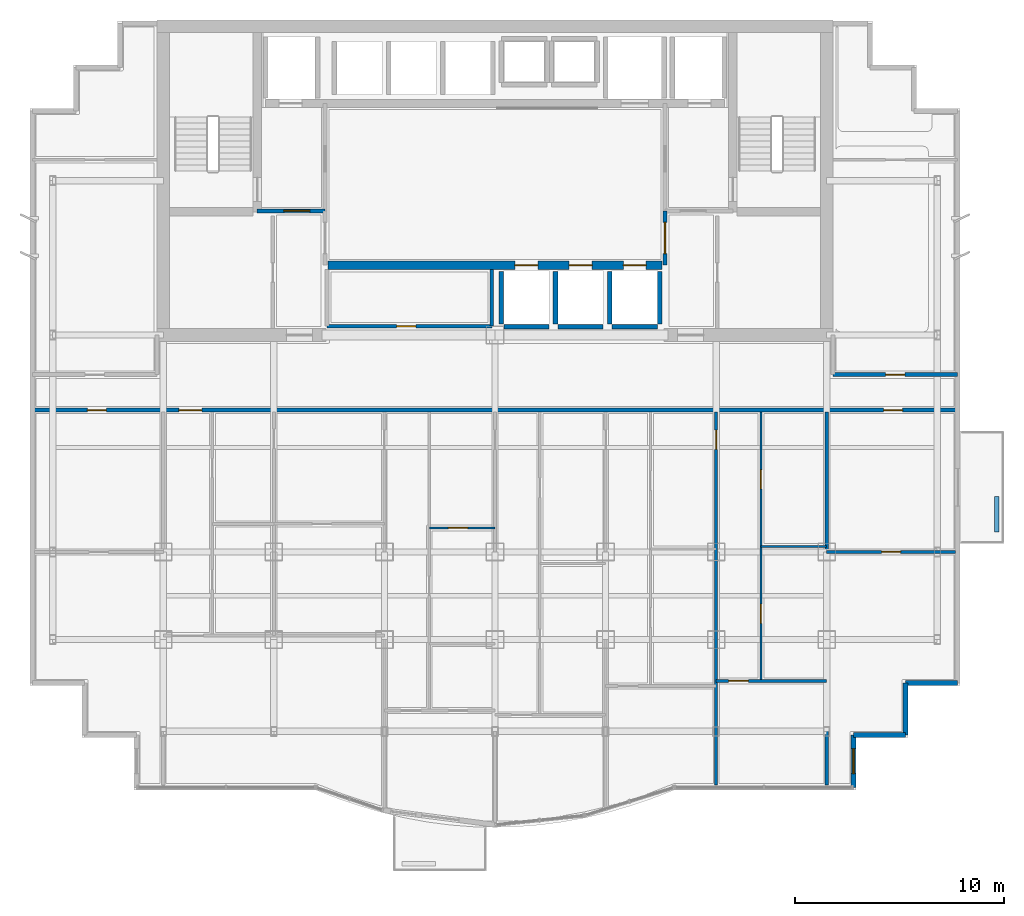
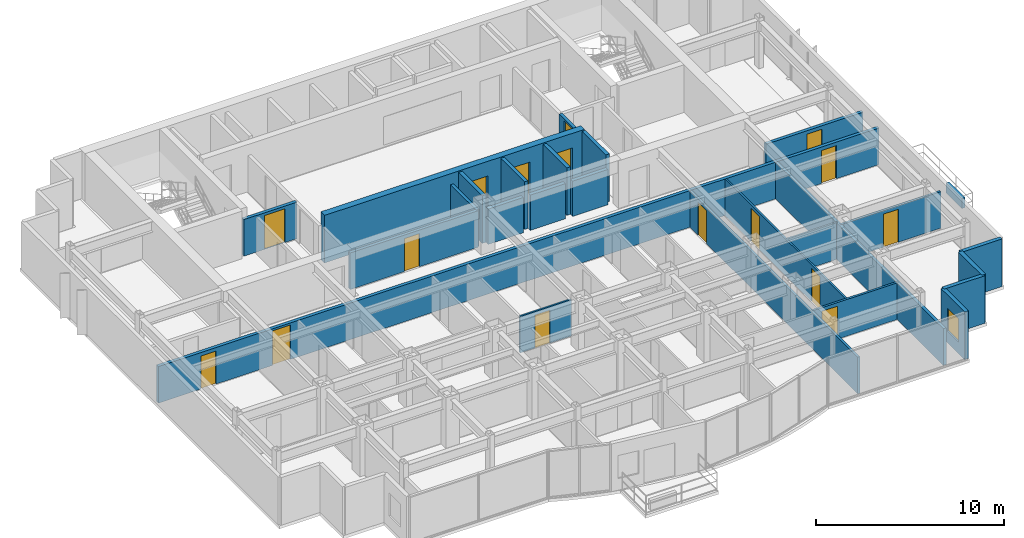
# One storey, part 7 of 11: 26 walls, 16 doors, 1 window, 17 openings.
"""IFC4 building model written with IfcOpenShell, lengths in metres."""

from ifc_helpers import new_model, si_unit, direction, frame, frame_2d, origin, place, context, subcontext, project, spatial, rectangle, extrude, material, layer, layer_set, type_object, element, fill, save


model = new_model("IFC4")

# Units and contexts
model_context = context("Model", 3, precision=1e-05, world=origin(), true_north=direction((0.0, 1.0)))
body_context = subcontext(model_context, "Body", "Model", "MODEL_VIEW")
ifc_project = project(units=[si_unit("LENGTHUNIT", "METRE"), si_unit("AREAUNIT", "SQUARE_METRE"), si_unit("VOLUMEUNIT", "CUBIC_METRE"), si_unit("PLANEANGLEUNIT", "RADIAN"), si_unit("MASSUNIT", "GRAM", prefix="KILO")], contexts=[model_context])

# Site, building, storey
site_placement = place(None, origin())
site = spatial("IfcSite", under=ifc_project, at=site_placement, CompositionType="ELEMENT")
building_placement = place(site_placement, origin())
building = spatial("IfcBuilding", under=site, at=building_placement, Name="Qianlan Lanfeng Residences", CompositionType="ELEMENT")
storey_placement = place(building_placement, frame((0.0, 0.0, 168.89990234375)))
storey = spatial("IfcBuildingStorey", under=building, at=storey_placement, Name="L46", CompositionType="ELEMENT", Elevation=168.89990234375)

# Wall, openings, doors
ifc_material_1 = material(Name="Concrete C56", Category="concrete")
ifc_layer_1 = layer(ifc_material_1, 0.39990234375)
ifc_layer_set_1 = layer_set([ifc_layer_1], Name="Concrete C56")
wall_type_1 = type_object("IfcWallType", Name="CW-RC-400", PredefinedType="SHEAR", material=ifc_layer_set_1)
wall_1_placement = place(storey_placement, frame((18.5, 28.550048828125, 0.0), z_axis=(0.0, 0.0, 1.0), x_axis=(1.0, 0.0, 0.0)))
wall_1 = element("IfcWall", 1, at=wall_1_placement, inside=storey, type_object=wall_type_1, Name="L46 Core Shear Wall LBS", PredefinedType="SHEAR", context=body_context, shape_type="SweptSolid", body=[
    extrude(rectangle(XDim=16.0, YDim=0.39990234375, at=frame_2d((8.0, 0.0))), origin(), (0.0, 0.0, 1.0), 3.10009765625),
])
opening_1_placement = place(wall_1_placement, frame((8.949951171875, 0.0, 0.0)))
opening_1 = element("IfcOpeningElement", 2, at=opening_1_placement, cuts=wall_1, Name="Opening L46-LD-PL-M1", PredefinedType="OPENING", context=body_context, shape_type="SweptSolid", body=[
    extrude(rectangle(XDim=1.10009765625, YDim=2.14990234375, at=frame_2d((0.550048828125, 1.074951171875))), frame((0.0, 0.2099609375, 0.0), z_axis=(0.0, -1.0, 0.0), x_axis=(1.0, 0.0, 0.0)), (0.0, 0.0, 1.0), 0.419921875),
])
opening_2_placement = place(wall_1_placement, frame((11.550048828125, 0.0, 0.0)))
opening_2 = element("IfcOpeningElement", 3, at=opening_2_placement, cuts=wall_1, Name="Opening L46-LD-PL-M2", PredefinedType="OPENING", context=body_context, shape_type="SweptSolid", body=[
    extrude(rectangle(XDim=1.10009765625, YDim=2.14990234375, at=frame_2d((0.550048828125, 1.074951171875))), frame((0.0, 0.2099609375, 0.0), z_axis=(0.0, -1.0, 0.0), x_axis=(1.0, 0.0, 0.0)), (0.0, 0.0, 1.0), 0.419921875),
])
opening_3_placement = place(wall_1_placement, frame((14.14990234375, 0.0, 0.0)))
opening_3 = element("IfcOpeningElement", 4, at=opening_3_placement, cuts=wall_1, Name="Opening L46-LD-PL-M3", PredefinedType="OPENING", context=body_context, shape_type="SweptSolid", body=[
    extrude(rectangle(XDim=1.10009765625, YDim=2.14990234375, at=frame_2d((0.550048828125, 1.074951171875))), frame((0.0, 0.2099609375, 0.0), z_axis=(0.0, -1.0, 0.0), x_axis=(1.0, 0.0, 0.0)), (0.0, 0.0, 1.0), 0.419921875),
])
ifc_material_2 = material(Name="Brushed Stainless Steel Sliding Lift Door", Category="steel")
door_type_1 = type_object("IfcDoorType", Name="LD-01", OperationType="NOTDEFINED", PredefinedType="DOOR", material=ifc_material_2)
door_1_placement = place(opening_1_placement, origin())
door_1 = element("IfcDoor", 5, at=door_1_placement, inside=storey, type_object=door_type_1, Name="L46 Elevator PL-M1 Sliding Landing Door", OperationType="DOUBLE_DOOR_SLIDING", OverallHeight=2.14990234375, OverallWidth=1.10009765625, PredefinedType="DOOR", context=body_context, shape_type="SweptSolid", body=[
    extrude(rectangle(XDim=1.10009765625, YDim=2.14990234375, at=frame_2d((0.550048828125, 1.074951171875))), frame((0.0, 0.02490234375, 0.0), z_axis=(0.0, -1.0, 0.0), x_axis=(1.0, 0.0, 0.0)), (0.0, 0.0, 1.0), 0.050048828125),
])
fill(opening_1, door_1)
door_2_placement = place(opening_2_placement, origin())
door_2 = element("IfcDoor", 6, at=door_2_placement, inside=storey, type_object=door_type_1, Name="L46 Elevator PL-M2 Sliding Landing Door", OperationType="DOUBLE_DOOR_SLIDING", OverallHeight=2.14990234375, OverallWidth=1.10009765625, PredefinedType="DOOR", context=body_context, shape_type="SweptSolid", body=[
    extrude(rectangle(XDim=1.10009765625, YDim=2.14990234375, at=frame_2d((0.550048828125, 1.074951171875))), frame((0.0, 0.02490234375, 0.0), z_axis=(0.0, -1.0, 0.0), x_axis=(1.0, 0.0, 0.0)), (0.0, 0.0, 1.0), 0.050048828125),
])
fill(opening_2, door_2)
door_3_placement = place(opening_3_placement, origin())
door_3 = element("IfcDoor", 7, at=door_3_placement, inside=storey, type_object=door_type_1, Name="L46 Elevator PL-M3 Sliding Landing Door", OperationType="DOUBLE_DOOR_SLIDING", OverallHeight=2.14990234375, OverallWidth=1.10009765625, PredefinedType="DOOR", context=body_context, shape_type="SweptSolid", body=[
    extrude(rectangle(XDim=1.10009765625, YDim=2.14990234375, at=frame_2d((0.550048828125, 1.074951171875))), frame((0.0, 0.02490234375, 0.0), z_axis=(0.0, -1.0, 0.0), x_axis=(1.0, 0.0, 0.0)), (0.0, 0.0, 1.0), 0.050048828125),
])
fill(opening_3, door_3)

# Wall, opening, window
ifc_material_3 = material(Name="Concrete C42", Category="concrete")
ifc_layer_2 = layer(ifc_material_3, 0.239990234375)
ifc_layer_set_2 = layer_set([ifc_layer_2], Name="Concrete C42")
wall_type_2 = type_object("IfcWallType", Name="EW-240", PredefinedType="SOLIDWALL", material=ifc_layer_set_2)
wall_2_placement = place(storey_placement, frame((43.679931640625, 3.52001953125, 0.0), z_axis=(0.0, 0.0, 1.0), x_axis=(0.0, 1.0, 0.0)))
wall_2 = element("IfcWall", 8, at=wall_2_placement, inside=storey, type_object=wall_type_2, Name="L46 Exterior Facade Spandrel Wall 6", PredefinedType="SOLIDWALL", context=body_context, shape_type="SweptSolid", body=[
    extrude(rectangle(XDim=2.5, YDim=0.239990234375, at=frame_2d((1.25, 0.0))), origin(), (0.0, 0.0, 1.0), 3.10009765625),
])
opening_4_placement = place(wall_2_placement, frame((0.64990234375, 0.0, 0.75)))
opening_4 = element("IfcOpeningElement", 9, at=opening_4_placement, cuts=wall_2, Name="Opening W-03", PredefinedType="OPENING", context=body_context, shape_type="SweptSolid", body=[
    extrude(rectangle(XDim=1.199951171875, YDim=1.5, at=frame_2d((0.60009765625, 0.75))), frame((0.0, 0.1298828125, 0.0), z_axis=(0.0, -1.0, 0.0), x_axis=(1.0, 0.0, 0.0)), (0.0, 0.0, 1.0), 0.260009765625),
])
ifc_material_4 = material(Name="Anodised Bronze Aluminium Framed Double Glazing", Category="aluminium")
window_type = type_object("IfcWindowType", Name="W-03", PartitioningType="SINGLE_PANEL", PredefinedType="WINDOW", material=ifc_material_4)
window_placement = place(opening_4_placement, origin())
window = element("IfcWindow", 10, at=window_placement, inside=storey, type_object=window_type, Name="L46 Facade Punched Window W-03", OverallHeight=1.5, OverallWidth=1.199951171875, PartitioningType="SINGLE_PANEL", PredefinedType="WINDOW", context=body_context, shape_type="SweptSolid", body=[
    extrude(rectangle(XDim=1.199951171875, YDim=1.5, at=frame_2d((0.60009765625, 0.75))), frame((0.0, 0.030029296875, 0.0), z_axis=(0.0, -1.0, 0.0), x_axis=(1.0, 0.0, 0.0)), (0.0, 0.0, 1.0), 0.06005859375),
])
fill(opening_4, window)

# Walls
for number, where, z_axis, x_axis, name in (
    (11, (43.679931640625, 6.02001953125, 0.0), (0.0, 0.0, 1.0), (1.0, 0.0, 0.0), "L46 Exterior Facade Spandrel Wall 7"),
    (12, (46.179931640625, 6.02001953125, 0.0), (0.0, 0.0, 1.0), (0.0, 1.0, 0.0), "L46 Exterior Facade Spandrel Wall 8"),
    (13, (46.179931640625, 8.52001953125, 0.0), (0.0, 0.0, 1.0), (1.0, 0.0, 0.0), "L46 Exterior Facade Spandrel Wall 9"),
):
    element("IfcWall", number, at=place(storey_placement, frame(where, z_axis=z_axis, x_axis=x_axis)), inside=storey, type_object=wall_type_2, Name=name, PredefinedType="SOLIDWALL", context=body_context, shape_type="SweptSolid", body=[
        extrude(rectangle(XDim=2.5, YDim=0.239990234375, at=frame_2d((1.25, 0.0))), origin(), (0.0, 0.0, 1.0), 3.10009765625),
    ])
ifc_layer_3 = layer(ifc_material_3, 0.199951171875)
ifc_layer_set_3 = layer_set([ifc_layer_3], Name="Concrete C42")
wall_type_3 = type_object("IfcWallType", Name="PL-TREE-200", PredefinedType="PARAPET", material=ifc_layer_set_3)
wall_3_placement = place(storey_placement, frame((50.550048828125, 15.75, 0.0), z_axis=(0.0, 0.0, 1.0), x_axis=(0.0, 1.0, 0.0)))
element("IfcWall", 14, at=wall_3_placement, inside=storey, type_object=wall_type_3, Name="L46 East Tree Planter Curb EB-S", PredefinedType="PARAPET", context=body_context, shape_type="SweptSolid", body=[
    extrude(rectangle(XDim=1.699951171875, YDim=0.199951171875, at=frame_2d((0.85009765625, 0.0))), origin(), (0.0, 0.0, 1.0), 0.650146484375),
])

# Wall, opening, door
ifc_material_5 = material(Name="Demountable Acoustic Framing Partition 110 mm")
ifc_layer_4 = layer(ifc_material_5, 0.110107421875)
ifc_layer_set_4 = layer_set([ifc_layer_4], Name="Demountable Acoustic Framing Partition 110 mm")
wall_type_4 = type_object("IfcWallType", Name="PW-110", PredefinedType="MOVABLE", material=ifc_layer_set_4)
wall_4_placement = place(storey_placement, frame((23.35009765625, 15.949951171875, 0.0), z_axis=(0.0, 0.0, 1.0), x_axis=(1.0, 0.0, 0.0)))
wall_4 = element("IfcWall", 15, at=wall_4_placement, inside=storey, type_object=wall_type_4, Name="L46 U01 Wardrobe Split", PredefinedType="MOVABLE", context=body_context, shape_type="SweptSolid", body=[
    extrude(rectangle(XDim=3.14990234375, YDim=0.110107421875, at=frame_2d((1.574951171875, 0.0))), origin(), (0.0, 0.0, 1.0), 2.380126953125),
])
opening_5_placement = place(wall_4_placement, frame((0.9150390625, 0.0, 0.0)))
opening_5 = element("IfcOpeningElement", 16, at=opening_5_placement, cuts=wall_4, Name="Opening L46-D27", PredefinedType="OPENING", context=body_context, shape_type="SweptSolid", body=[
    extrude(rectangle(XDim=0.919921875, YDim=2.14990234375, at=frame_2d((0.4599609375, 1.074951171875))), frame((0.0, 0.06494140625, 0.0), z_axis=(0.0, -1.0, 0.0), x_axis=(1.0, 0.0, 0.0)), (0.0, 0.0, 1.0), 0.130126953125),
])
ifc_material_6 = material(Name="Glazed Timber Kitchen/Study Door", Category="wood")
door_type_2 = type_object("IfcDoorType", Name="DT-INT", OperationType="NOTDEFINED", PredefinedType="DOOR", material=ifc_material_6)
door_4_placement = place(opening_5_placement, origin())
door_4 = element("IfcDoor", 17, at=door_4_placement, inside=storey, type_object=door_type_2, Name="L46 U01 Dressing Inner Door L46-D27 (DT-INT)", OperationType="SINGLE_SWING_LEFT", OverallHeight=2.14990234375, OverallWidth=0.919921875, PredefinedType="DOOR", context=body_context, shape_type="SweptSolid", body=[
    extrude(rectangle(XDim=0.919921875, YDim=2.14990234375, at=frame_2d((0.4599609375, 1.074951171875))), frame((0.0, 0.02490234375, 0.0), z_axis=(0.0, -1.0, 0.0), x_axis=(1.0, 0.0, 0.0)), (0.0, 0.0, 1.0), 0.050048828125),
])
fill(opening_5, door_4)

# Wall, openings, doors
wall_5_placement = place(storey_placement, frame((39.25, 8.6201171875, 0.0), z_axis=(0.0, 0.0, 1.0), x_axis=(0.0, 1.0, 0.0)))
wall_5 = element("IfcWall", 18, at=wall_5_placement, inside=storey, type_object=wall_type_4, Name="L46 U01 Bedroom 5 Hall Wall", PredefinedType="MOVABLE", context=body_context, shape_type="SweptSolid", body=[
    extrude(rectangle(XDim=12.8798828125, YDim=0.110107421875, at=frame_2d((6.43994140625, 0.0))), origin(), (0.0, 0.0, 1.0), 2.380126953125),
])
opening_6_placement = place(wall_5_placement, frame((2.760009765625, 0.0, 0.0)))
opening_6 = element("IfcOpeningElement", 19, at=opening_6_placement, cuts=wall_5, Name="Opening L46-D35", PredefinedType="OPENING", context=body_context, shape_type="SweptSolid", body=[
    extrude(rectangle(XDim=0.919921875, YDim=2.14990234375, at=frame_2d((0.4599609375, 1.074951171875))), frame((0.0, 0.06494140625, 0.0), z_axis=(0.0, -1.0, 0.0), x_axis=(1.0, 0.0, 0.0)), (0.0, 0.0, 1.0), 0.130126953125),
])
opening_7_placement = place(wall_5_placement, frame((9.199951171875, 0.0, 0.0)))
opening_7 = element("IfcOpeningElement", 20, at=opening_7_placement, cuts=wall_5, Name="Opening L46-D36", PredefinedType="OPENING", context=body_context, shape_type="SweptSolid", body=[
    extrude(rectangle(XDim=0.919921875, YDim=2.14990234375, at=frame_2d((0.4599609375, 1.074951171875))), frame((0.0, 0.06494140625, 0.0), z_axis=(0.0, -1.0, 0.0), x_axis=(1.0, 0.0, 0.0)), (0.0, 0.0, 1.0), 0.130126953125),
])
door_5_placement = place(opening_6_placement, origin())
door_5 = element("IfcDoor", 21, at=door_5_placement, inside=storey, type_object=door_type_2, Name="L46 U01 Utility Door L46-D35 (DT-INT)", OperationType="SINGLE_SWING_LEFT", OverallHeight=2.14990234375, OverallWidth=0.919921875, PredefinedType="DOOR", context=body_context, shape_type="SweptSolid", body=[
    extrude(rectangle(XDim=0.919921875, YDim=2.14990234375, at=frame_2d((0.4599609375, 1.074951171875))), frame((0.0, 0.02490234375, 0.0), z_axis=(0.0, -1.0, 0.0), x_axis=(1.0, 0.0, 0.0)), (0.0, 0.0, 1.0), 0.050048828125),
])
fill(opening_6, door_5)
door_6_placement = place(opening_7_placement, origin())
door_6 = element("IfcDoor", 22, at=door_6_placement, inside=storey, type_object=door_type_2, Name="L46 U01 Specialty Door L46-D36 (DT-INT)", OperationType="SINGLE_SWING_RIGHT", OverallHeight=2.14990234375, OverallWidth=0.919921875, PredefinedType="DOOR", context=body_context, shape_type="SweptSolid", body=[
    extrude(rectangle(XDim=0.919921875, YDim=2.14990234375, at=frame_2d((0.4599609375, 1.074951171875))), frame((0.0, 0.02490234375, 0.0), z_axis=(0.0, -1.0, 0.0), x_axis=(1.0, 0.0, 0.0)), (0.0, 0.0, 1.0), 0.050048828125),
])
fill(opening_7, door_6)

# Wall
wall_6_placement = place(storey_placement, frame((39.25, 15.06005859375, 0.0), z_axis=(0.0, 0.0, 1.0), x_axis=(1.0, 0.0, 0.0)))
element("IfcWall", 23, at=wall_6_placement, inside=storey, type_object=wall_type_4, Name="L46 U01 Specialty Split Wall", PredefinedType="MOVABLE", context=body_context, shape_type="SweptSolid", body=[
    extrude(rectangle(XDim=3.14990234375, YDim=0.110107421875, at=frame_2d((1.574951171875, 0.0))), origin(), (0.0, 0.0, 1.0), 2.380126953125),
])

# Wall, opening, door
ifc_material_7 = material(Name="Moisture-Resistant Gypsum Partition 135 mm")
ifc_layer_5 = layer(ifc_material_7, 0.135009765625)
ifc_layer_set_5 = layer_set([ifc_layer_5], Name="Moisture-Resistant Gypsum Partition 135 mm")
wall_type_5 = type_object("IfcWallType", Name="PW-135", PredefinedType="PARTITIONING", material=ifc_layer_set_5)
wall_7_placement = place(storey_placement, frame((37.10009765625, 3.6201171875, 0.0), z_axis=(0.0, 0.0, 1.0), x_axis=(0.0, 1.0, 0.0)))
wall_7 = element("IfcWall", 24, at=wall_7_placement, inside=storey, type_object=wall_type_5, Name="L46 U01 Bay Spine Wall 5", PredefinedType="PARTITIONING", context=body_context, shape_type="SweptSolid", body=[
    extrude(rectangle(XDim=17.8798828125, YDim=0.135009765625, at=frame_2d((8.93994140625, 0.0))), origin(), (0.0, 0.0, 1.0), 2.380126953125),
])
opening_8_placement = place(wall_7_placement, frame((16.094970703125, 0.0, 0.0)))
opening_8 = element("IfcOpeningElement", 25, at=opening_8_placement, cuts=wall_7, Name="Opening L46-D19", PredefinedType="OPENING", context=body_context, shape_type="SweptSolid", body=[
    extrude(rectangle(XDim=0.919921875, YDim=2.14990234375, at=frame_2d((0.4599609375, 1.074951171875))), frame((0.0, 0.07763671875, 0.0), z_axis=(0.0, -1.0, 0.0), x_axis=(1.0, 0.0, 0.0)), (0.0, 0.0, 1.0), 0.155029296875),
])
door_7_placement = place(opening_8_placement, origin())
door_7 = element("IfcDoor", 26, at=door_7_placement, inside=storey, type_object=door_type_2, Name="L46 U01 Internal Hall Door L46-D19 (DT-INT)", OperationType="SINGLE_SWING_LEFT", OverallHeight=2.14990234375, OverallWidth=0.919921875, PredefinedType="DOOR", context=body_context, shape_type="SweptSolid", body=[
    extrude(rectangle(XDim=0.919921875, YDim=2.14990234375, at=frame_2d((0.4599609375, 1.074951171875))), frame((0.0, 0.02490234375, 0.0), z_axis=(0.0, -1.0, 0.0), x_axis=(1.0, 0.0, 0.0)), (0.0, 0.0, 1.0), 0.050048828125),
])
fill(opening_8, door_7)

wall_8_placement = place(storey_placement, frame((37.10009765625, 8.6201171875, 0.0), z_axis=(0.0, 0.0, 1.0), x_axis=(1.0, 0.0, 0.0)))
wall_8 = element("IfcWall", 27, at=wall_8_placement, inside=storey, type_object=wall_type_5, Name="L46 U01 Bedroom 5 North Wall", PredefinedType="PARTITIONING", context=body_context, shape_type="SweptSolid", body=[
    extrude(rectangle(XDim=5.2998046875, YDim=0.135009765625, at=frame_2d((2.64990234375, 0.0))), origin(), (0.0, 0.0, 1.0), 2.380126953125),
])
opening_9_placement = place(wall_8_placement, frame((0.60009765625, 0.0, 0.0)))
opening_9 = element("IfcOpeningElement", 28, at=opening_9_placement, cuts=wall_8, Name="Opening L46-D34", PredefinedType="OPENING", context=body_context, shape_type="SweptSolid", body=[
    extrude(rectangle(XDim=0.949951171875, YDim=2.14990234375, at=frame_2d((0.47509765625, 1.074951171875))), frame((0.0, 0.07763671875, 0.0), z_axis=(0.0, -1.0, 0.0), x_axis=(1.0, 0.0, 0.0)), (0.0, 0.0, 1.0), 0.155029296875),
])
ifc_material_8 = material(Name="Painted Solid-Core Timber Leaf", Category="wood")
door_type_3 = type_object("IfcDoorType", Name="DT-BED", OperationType="NOTDEFINED", PredefinedType="DOOR", material=ifc_material_8)
door_8_placement = place(opening_9_placement, frame((0.949951171875, 0.0, 0.0), z_axis=(0.0, 0.0, 1.0), x_axis=(-1.0, 0.0, 0.0)))
door_8 = element("IfcDoor", 29, at=door_8_placement, inside=storey, type_object=door_type_3, Name="L46 U01 Bedroom 5 Door L46-D34 (DT-BED)", OperationType="SINGLE_SWING_RIGHT", OverallHeight=2.14990234375, OverallWidth=0.949951171875, PredefinedType="DOOR", context=body_context, shape_type="SweptSolid", body=[
    extrude(rectangle(XDim=0.949951171875, YDim=2.14990234375, at=frame_2d((0.47509765625, 1.074951171875))), frame((0.0, 0.02490234375, 0.0), z_axis=(0.0, -1.0, 0.0), x_axis=(1.0, 0.0, 0.0)), (0.0, 0.0, 1.0), 0.050048828125),
])
fill(opening_9, door_8)

wall_9_placement = place(storey_placement, frame((42.39990234375, 14.800048828125, 0.0), z_axis=(0.0, 0.0, 1.0), x_axis=(1.0, 0.0, 0.0)))
wall_9 = element("IfcWall", 30, at=wall_9_placement, inside=storey, type_object=wall_type_5, Name="L46 SEP Mid Partition", PredefinedType="PARTITIONING", context=body_context, shape_type="SweptSolid", body=[
    extrude(rectangle(XDim=6.18017578125, YDim=0.135009765625, at=frame_2d((3.090087890625, 0.0))), origin(), (0.0, 0.0, 1.0), 2.380126953125),
])
opening_10_placement = place(wall_9_placement, frame((2.6298828125, 0.0, 0.0)))
opening_10 = element("IfcOpeningElement", 31, at=opening_10_placement, cuts=wall_9, Name="Opening L46-D39", PredefinedType="OPENING", context=body_context, shape_type="SweptSolid", body=[
    extrude(rectangle(XDim=0.919921875, YDim=2.14990234375, at=frame_2d((0.4599609375, 1.074951171875))), frame((0.0, 0.07763671875, 0.0), z_axis=(0.0, -1.0, 0.0), x_axis=(1.0, 0.0, 0.0)), (0.0, 0.0, 1.0), 0.155029296875),
])
door_9_placement = place(opening_10_placement, origin())
door_9 = element("IfcDoor", 32, at=door_9_placement, inside=storey, type_object=door_type_2, Name="L46 SEP Inner Door L46-D39 (DT-INT)", OperationType="SINGLE_SWING_LEFT", OverallHeight=2.14990234375, OverallWidth=0.919921875, PredefinedType="DOOR", context=body_context, shape_type="SweptSolid", body=[
    extrude(rectangle(XDim=0.919921875, YDim=2.14990234375, at=frame_2d((0.4599609375, 1.074951171875))), frame((0.0, 0.02490234375, 0.0), z_axis=(0.0, -1.0, 0.0), x_axis=(1.0, 0.0, 0.0)), (0.0, 0.0, 1.0), 0.050048828125),
])
fill(opening_10, door_9)

# Wall
ifc_material_9 = material(Name="Double-Layer Acoustic Gypsum Stud Wall 180 mm")
ifc_layer_6 = layer(ifc_material_9, 0.179931640625)
ifc_layer_set_6 = layer_set([ifc_layer_6], Name="Double-Layer Acoustic Gypsum Stud Wall 180 mm")
wall_type_6 = type_object("IfcWallType", Name="PW-180", PredefinedType="PARTITIONING", material=ifc_layer_set_6)
wall_10_placement = place(storey_placement, frame((26.35009765625, 25.6201171875, 0.0), z_axis=(0.0, 0.0, 1.0), x_axis=(0.0, 1.0, 0.0)))
element("IfcWall", 33, at=wall_10_placement, inside=storey, type_object=wall_type_6, Name="L46 Reclaimed Low-Bank Room East Wall", PredefinedType="PARTITIONING", context=body_context, shape_type="SweptSolid", body=[
    extrude(rectangle(XDim=2.72998046875, YDim=0.179931640625, at=frame_2d((1.364990234375, 0.0))), origin(), (0.0, 0.0, 1.0), 2.380126953125),
])

# Wall, opening, door
wall_11_placement = place(storey_placement, frame((18.449951171875, 25.6201171875, 0.0), z_axis=(0.0, 0.0, 1.0), x_axis=(1.0, 0.0, 0.0)))
wall_11 = element("IfcWall", 34, at=wall_11_placement, inside=storey, type_object=wall_type_6, Name="L46 Reclaimed Low-Bank Room South Wall", PredefinedType="PARTITIONING", context=body_context, shape_type="SweptSolid", body=[
    extrude(rectangle(XDim=7.900146484375, YDim=0.179931640625, at=frame_2d((3.9501953125, 0.0))), origin(), (0.0, 0.0, 1.0), 2.380126953125),
])
opening_11_placement = place(wall_11_placement, frame((3.340087890625, 0.0, 0.0)))
opening_11 = element("IfcOpeningElement", 35, at=opening_11_placement, cuts=wall_11, Name="Opening L46-D13", PredefinedType="OPENING", context=body_context, shape_type="SweptSolid", body=[
    extrude(rectangle(XDim=0.919921875, YDim=2.14990234375, at=frame_2d((0.4599609375, 1.074951171875))), frame((0.0, 0.10009765625, 0.0), z_axis=(0.0, -1.0, 0.0), x_axis=(1.0, 0.0, 0.0)), (0.0, 0.0, 1.0), 0.199951171875),
])
door_10_placement = place(opening_11_placement, origin())
door_10 = element("IfcDoor", 36, at=door_10_placement, inside=storey, type_object=door_type_2, Name="L46 Reclaimed Core Salon Door L46-D13 (DT-INT)", OperationType="SINGLE_SWING_LEFT", OverallHeight=2.14990234375, OverallWidth=0.919921875, PredefinedType="DOOR", context=body_context, shape_type="SweptSolid", body=[
    extrude(rectangle(XDim=0.919921875, YDim=2.14990234375, at=frame_2d((0.4599609375, 1.074951171875))), frame((0.0, 0.02490234375, 0.0), z_axis=(0.0, -1.0, 0.0), x_axis=(1.0, 0.0, 0.0)), (0.0, 0.0, 1.0), 0.050048828125),
])
fill(opening_11, door_10)

# Wall
wall_12_placement = place(storey_placement, frame((42.39990234375, 3.6201171875, 0.0), z_axis=(0.0, 0.0, 1.0), x_axis=(0.0, 1.0, 0.0)))
element("IfcWall", 37, at=wall_12_placement, inside=storey, type_object=wall_type_6, Name="L46 Wing Boundary Party Wall E0", PredefinedType="PARTITIONING", context=body_context, shape_type="SweptSolid", body=[
    extrude(rectangle(XDim=17.8798828125, YDim=0.179931640625, at=frame_2d((8.93994140625, 0.0))), origin(), (0.0, 0.0, 1.0), 2.380126953125),
])

# Wall, opening, door
ifc_material_10 = material(Name="Autoclaved Aerated Concrete Blockwork 200 mm", Category="masonry")
ifc_layer_7 = layer(ifc_material_10, 0.199951171875)
ifc_layer_set_7 = layer_set([ifc_layer_7], Name="Autoclaved Aerated Concrete Blockwork 200 mm")
wall_type_7 = type_object("IfcWallType", Name="PW-200", PredefinedType="PARTITIONING", material=ifc_layer_set_7)
wall_13_placement = place(storey_placement, frame((15.10009765625, 31.14990234375, 0.0), z_axis=(0.0, 0.0, 1.0), x_axis=(1.0, 0.0, 0.0)))
wall_13 = element("IfcWall", 38, at=wall_13_placement, inside=storey, type_object=wall_type_7, Name="L46 Firefighting Lobby 1 South Wall", PredefinedType="PARTITIONING", context=body_context, shape_type="SweptSolid", body=[
    extrude(rectangle(XDim=3.25, YDim=0.199951171875, at=frame_2d((1.625, 0.0))), origin(), (0.0, 0.0, 1.0), 2.380126953125),
])
opening_12_placement = place(wall_13_placement, frame((1.27490234375, 0.0, 0.0)))
opening_12 = element("IfcOpeningElement", 39, at=opening_12_placement, cuts=wall_13, Name="Opening L46-D03", PredefinedType="OPENING", context=body_context, shape_type="SweptSolid", body=[
    extrude(rectangle(XDim=1.25, YDim=2.199951171875, at=frame_2d((0.625, 1.10009765625))), frame((0.0, 0.10986328125, 0.0), z_axis=(0.0, -1.0, 0.0), x_axis=(1.0, 0.0, 0.0)), (0.0, 0.0, 1.0), 0.219970703125),
])
ifc_material_11 = material(Name="Painted Galvanised Steel Fire Door", Category="steel")
door_type_4 = type_object("IfcDoorType", Name="DT-FFL", OperationType="NOTDEFINED", PredefinedType="DOOR", material=ifc_material_11)
door_11_placement = place(opening_12_placement, origin())
door_11 = element("IfcDoor", 40, at=door_11_placement, inside=storey, type_object=door_type_4, Name="L46 Firefighting Lobby 1 Entry Door L46-D03 (DT-FFL)", OperationType="SINGLE_SWING_LEFT", OverallHeight=2.199951171875, OverallWidth=1.25, PredefinedType="DOOR", context=body_context, shape_type="SweptSolid", body=[
    extrude(rectangle(XDim=1.25, YDim=2.199951171875, at=frame_2d((0.625, 1.10009765625))), frame((0.0, 0.02490234375, 0.0), z_axis=(0.0, -1.0, 0.0), x_axis=(1.0, 0.0, 0.0)), (0.0, 0.0, 1.0), 0.050048828125),
])
fill(opening_12, door_11)

wall_14_placement = place(storey_placement, frame((34.64990234375, 28.550048828125, 0.0), z_axis=(0.0, 0.0, 1.0), x_axis=(0.0, 1.0, 0.0)))
wall_14 = element("IfcWall", 41, at=wall_14_placement, inside=storey, type_object=wall_type_7, Name="L46 Lift Lobby East Connector Wall", PredefinedType="PARTITIONING", context=body_context, shape_type="SweptSolid", body=[
    extrude(rectangle(XDim=2.599853515625, YDim=0.199951171875, at=frame_2d((1.2998046875, 0.0))), origin(), (0.0, 0.0, 1.0), 2.380126953125),
])
opening_13_placement = place(wall_14_placement, frame((0.550048828125, 0.0, 0.0)))
opening_13 = element("IfcOpeningElement", 42, at=opening_13_placement, cuts=wall_14, Name="Opening L46-D12", PredefinedType="OPENING", context=body_context, shape_type="SweptSolid", body=[
    extrude(rectangle(XDim=1.5, YDim=2.25, at=frame_2d((0.75, 1.125))), frame((0.0, 0.10986328125, 0.0), z_axis=(0.0, -1.0, 0.0), x_axis=(1.0, 0.0, 0.0)), (0.0, 0.0, 1.0), 0.219970703125),
])
ifc_material_12 = material(Name="Timber Veneer Acoustic Fire Door", Category="wood")
door_type_5 = type_object("IfcDoorType", Name="DT-COR1", OperationType="NOTDEFINED", PredefinedType="DOOR", material=ifc_material_12)
door_12_placement = place(opening_13_placement, frame((1.5, 0.0, 0.0), z_axis=(0.0, 0.0, 1.0), x_axis=(-1.0, 0.0, 0.0)))
door_12 = element("IfcDoor", 43, at=door_12_placement, inside=storey, type_object=door_type_5, Name="L46 Lift Lobby East Portal Door L46-D12 (DT-COR1)", OperationType="DOUBLE_DOOR_SINGLE_SWING", OverallHeight=2.25, OverallWidth=1.5, PredefinedType="DOOR", context=body_context, shape_type="SweptSolid", body=[
    extrude(rectangle(XDim=1.5, YDim=2.25, at=frame_2d((0.75, 1.125))), frame((0.0, 0.02490234375, 0.0), z_axis=(0.0, -1.0, 0.0), x_axis=(1.0, 0.0, 0.0)), (0.0, 0.0, 1.0), 0.050048828125),
])
fill(opening_13, door_12)

# Wall, openings, doors
wall_15_placement = place(storey_placement, frame((4.320068359375, 21.60009765625, 0.0), z_axis=(0.0, 0.0, 1.0), x_axis=(1.0, 0.0, 0.0)))
wall_15 = element("IfcWall", 44, at=wall_15_placement, inside=storey, type_object=wall_type_7, Name="L46 Residential Corridor South Fire Wall", PredefinedType="PARTITIONING", context=body_context, shape_type="SweptSolid", body=[
    extrude(rectangle(XDim=44.35986328125, YDim=0.199951171875, at=frame_2d((22.179931640625, 0.0))), origin(), (0.0, 0.0, 1.0), 2.380126953125),
])
opening_14_placement = place(wall_15_placement, frame((7.030029296875, 0.0, 0.0)))
opening_14 = element("IfcOpeningElement", 45, at=opening_14_placement, cuts=wall_15, Name="Opening L46-D14", PredefinedType="OPENING", context=body_context, shape_type="SweptSolid", body=[
    extrude(rectangle(XDim=1.10009765625, YDim=2.25, at=frame_2d((0.550048828125, 1.125))), frame((0.0, 0.10986328125, 0.0), z_axis=(0.0, -1.0, 0.0), x_axis=(1.0, 0.0, 0.0)), (0.0, 0.0, 1.0), 0.219970703125),
])
opening_15_placement = place(wall_15_placement, frame((2.635009765625, 0.0, 0.0)))
opening_15 = element("IfcOpeningElement", 46, at=opening_15_placement, cuts=wall_15, Name="Opening L46-D38", PredefinedType="OPENING", context=body_context, shape_type="SweptSolid", body=[
    extrude(rectangle(XDim=0.919921875, YDim=2.14990234375, at=frame_2d((0.4599609375, 1.074951171875))), frame((0.0, 0.10986328125, 0.0), z_axis=(0.0, -1.0, 0.0), x_axis=(1.0, 0.0, 0.0)), (0.0, 0.0, 1.0), 0.219970703125),
])
opening_16_placement = place(wall_15_placement, frame((40.804931640625, 0.0, 0.0)))
opening_16 = element("IfcOpeningElement", 47, at=opening_16_placement, cuts=wall_15, Name="Opening L46-D40", PredefinedType="OPENING", context=body_context, shape_type="SweptSolid", body=[
    extrude(rectangle(XDim=0.919921875, YDim=2.14990234375, at=frame_2d((0.4599609375, 1.074951171875))), frame((0.0, 0.10986328125, 0.0), z_axis=(0.0, -1.0, 0.0), x_axis=(1.0, 0.0, 0.0)), (0.0, 0.0, 1.0), 0.219970703125),
])
door_13_placement = place(opening_15_placement, origin())
door_13 = element("IfcDoor", 48, at=door_13_placement, inside=storey, type_object=door_type_2, Name="L46 SWP Corridor Door L46-D38 (DT-INT)", OperationType="SINGLE_SWING_RIGHT", OverallHeight=2.14990234375, OverallWidth=0.919921875, PredefinedType="DOOR", context=body_context, shape_type="SweptSolid", body=[
    extrude(rectangle(XDim=0.919921875, YDim=2.14990234375, at=frame_2d((0.4599609375, 1.074951171875))), frame((0.0, 0.02490234375, 0.0), z_axis=(0.0, -1.0, 0.0), x_axis=(1.0, 0.0, 0.0)), (0.0, 0.0, 1.0), 0.050048828125),
])
fill(opening_15, door_13)
door_14_placement = place(opening_16_placement, origin())
door_14 = element("IfcDoor", 49, at=door_14_placement, inside=storey, type_object=door_type_2, Name="L46 SEP Corridor Door L46-D40 (DT-INT)", OperationType="SINGLE_SWING_RIGHT", OverallHeight=2.14990234375, OverallWidth=0.919921875, PredefinedType="DOOR", context=body_context, shape_type="SweptSolid", body=[
    extrude(rectangle(XDim=0.919921875, YDim=2.14990234375, at=frame_2d((0.4599609375, 1.074951171875))), frame((0.0, 0.02490234375, 0.0), z_axis=(0.0, -1.0, 0.0), x_axis=(1.0, 0.0, 0.0)), (0.0, 0.0, 1.0), 0.050048828125),
])
fill(opening_16, door_14)
ifc_material_13 = material(Name="Solid-Core Oak Veneer Fire Door")
door_type_6 = type_object("IfcDoorType", Name="DT-UNIT", OperationType="NOTDEFINED", PredefinedType="DOOR", material=ifc_material_13)
door_15_placement = place(opening_14_placement, origin())
door_15 = element("IfcDoor", 50, at=door_15_placement, inside=storey, type_object=door_type_6, Name="L46 Apartment U01 Entrance Door L46-D14 (DT-UNIT)", OperationType="SINGLE_SWING_RIGHT", OverallHeight=2.25, OverallWidth=1.10009765625, PredefinedType="DOOR", context=body_context, shape_type="SweptSolid", body=[
    extrude(rectangle(XDim=1.10009765625, YDim=2.25, at=frame_2d((0.550048828125, 1.125))), frame((0.0, 0.02490234375, 0.0), z_axis=(0.0, -1.0, 0.0), x_axis=(1.0, 0.0, 0.0)), (0.0, 0.0, 1.0), 0.050048828125),
])
fill(opening_14, door_15)

# Wall, opening, door
wall_16_placement = place(storey_placement, frame((42.699951171875, 23.300048828125, 0.0), z_axis=(0.0, 0.0, 1.0), x_axis=(1.0, 0.0, 0.0)))
wall_16 = element("IfcWall", 51, at=wall_16_placement, inside=storey, type_object=wall_type_7, Name="L46 Corridor NE Wall", PredefinedType="PARTITIONING", context=body_context, shape_type="SweptSolid", body=[
    extrude(rectangle(XDim=5.97998046875, YDim=0.199951171875, at=frame_2d((2.989990234375, 0.0))), origin(), (0.0, 0.0, 1.0), 2.380126953125),
])
opening_17_placement = place(wall_16_placement, frame((2.530029296875, 0.0, 0.0)))
opening_17 = element("IfcOpeningElement", 52, at=opening_17_placement, cuts=wall_16, Name="Opening L46-D44", PredefinedType="OPENING", context=body_context, shape_type="SweptSolid", body=[
    extrude(rectangle(XDim=0.919921875, YDim=2.14990234375, at=frame_2d((0.4599609375, 1.074951171875))), frame((0.0, 0.10986328125, 0.0), z_axis=(0.0, -1.0, 0.0), x_axis=(1.0, 0.0, 0.0)), (0.0, 0.0, 1.0), 0.219970703125),
])
door_16_placement = place(opening_17_placement, origin())
door_16 = element("IfcDoor", 53, at=door_16_placement, inside=storey, type_object=door_type_2, Name="L46 EW Amenity Salon Door L46-D44 (DT-INT)", OperationType="SINGLE_SWING_RIGHT", OverallHeight=2.14990234375, OverallWidth=0.919921875, PredefinedType="DOOR", context=body_context, shape_type="SweptSolid", body=[
    extrude(rectangle(XDim=0.919921875, YDim=2.14990234375, at=frame_2d((0.4599609375, 1.074951171875))), frame((0.0, 0.02490234375, 0.0), z_axis=(0.0, -1.0, 0.0), x_axis=(1.0, 0.0, 0.0)), (0.0, 0.0, 1.0), 0.050048828125),
])
fill(opening_17, door_16)

# Walls
ifc_material_14 = material(Name="Concrete C49", Category="concrete")
ifc_layer_8 = layer(ifc_material_14, 0.219970703125)
ifc_layer_set_8 = layer_set([ifc_layer_8], Name="Concrete C49")
wall_type_8 = type_object("IfcWallType", Name="SHW-220", PredefinedType="SOLIDWALL", material=ifc_layer_set_8)
wall_17_placement = place(storey_placement, frame((26.800048828125, 25.719970703125, 0.0), z_axis=(0.0, 0.0, 1.0), x_axis=(0.0, 1.0, 0.0)))
element("IfcWall", 54, at=wall_17_placement, inside=storey, type_object=wall_type_8, Name="L46 Lift PL-M1 Shaft Wall W", PredefinedType="SOLIDWALL", context=body_context, shape_type="SweptSolid", body=[
    extrude(rectangle(XDim=2.530029296875, YDim=0.219970703125, at=frame_2d((1.26513671875, 0.0))), origin(), (0.0, 0.0, 1.0), 3.10009765625),
])
wall_18_placement = place(storey_placement, frame((26.919921875, 25.60009765625, 0.0), z_axis=(0.0, 0.0, 1.0), x_axis=(1.0, 0.0, 0.0)))
element("IfcWall", 55, at=wall_18_placement, inside=storey, type_object=wall_type_8, Name="L46 Lift PL-M1 Shaft Back Wall S", PredefinedType="SOLIDWALL", context=body_context, shape_type="SweptSolid", body=[
    extrude(rectangle(XDim=2.16015625, YDim=0.219970703125, at=frame_2d((1.080078125, 0.0))), origin(), (0.0, 0.0, 1.0), 2.295166015625),
])
wall_19_placement = place(storey_placement, frame((29.39990234375, 25.719970703125, 0.0), z_axis=(0.0, 0.0, 1.0), x_axis=(0.0, 1.0, 0.0)))
element("IfcWall", 56, at=wall_19_placement, inside=storey, type_object=wall_type_8, Name="L46 Lift PL-M2 Shaft Wall W", PredefinedType="SOLIDWALL", context=body_context, shape_type="SweptSolid", body=[
    extrude(rectangle(XDim=2.530029296875, YDim=0.219970703125, at=frame_2d((1.26513671875, 0.0))), origin(), (0.0, 0.0, 1.0), 3.10009765625),
])
wall_20_placement = place(storey_placement, frame((29.52001953125, 25.60009765625, 0.0), z_axis=(0.0, 0.0, 1.0), x_axis=(1.0, 0.0, 0.0)))
element("IfcWall", 57, at=wall_20_placement, inside=storey, type_object=wall_type_8, Name="L46 Lift PL-M2 Shaft Back Wall S", PredefinedType="SOLIDWALL", context=body_context, shape_type="SweptSolid", body=[
    extrude(rectangle(XDim=2.159912109375, YDim=0.219970703125, at=frame_2d((1.080078125, 0.0))), origin(), (0.0, 0.0, 1.0), 2.295166015625),
])
for number, where, z_axis, x_axis, name in (
    (58, (32.0, 25.719970703125, 0.0), (0.0, 0.0, 1.0), (0.0, 1.0, 0.0), "L46 Lift PL-M3 Shaft Wall W"),
    (59, (34.39990234375, 25.719970703125, 0.0), (0.0, 0.0, 1.0), (0.0, 1.0, 0.0), "L46 Lift PL-M3 Shaft Wall E"),
):
    element("IfcWall", number, at=place(storey_placement, frame(where, z_axis=z_axis, x_axis=x_axis)), inside=storey, type_object=wall_type_8, Name=name, PredefinedType="SOLIDWALL", context=body_context, shape_type="SweptSolid", body=[
        extrude(rectangle(XDim=2.530029296875, YDim=0.219970703125, at=frame_2d((1.26513671875, 0.0))), origin(), (0.0, 0.0, 1.0), 3.10009765625),
    ])
wall_21_placement = place(storey_placement, frame((32.1201171875, 25.60009765625, 0.0), z_axis=(0.0, 0.0, 1.0), x_axis=(1.0, 0.0, 0.0)))
element("IfcWall", 60, at=wall_21_placement, inside=storey, type_object=wall_type_8, Name="L46 Lift PL-M3 Shaft Back Wall S", PredefinedType="SOLIDWALL", context=body_context, shape_type="SweptSolid", body=[
    extrude(rectangle(XDim=2.159912109375, YDim=0.219970703125, at=frame_2d((1.080078125, 0.0))), origin(), (0.0, 0.0, 1.0), 2.295166015625),
])

save(model, "model.ifc")
